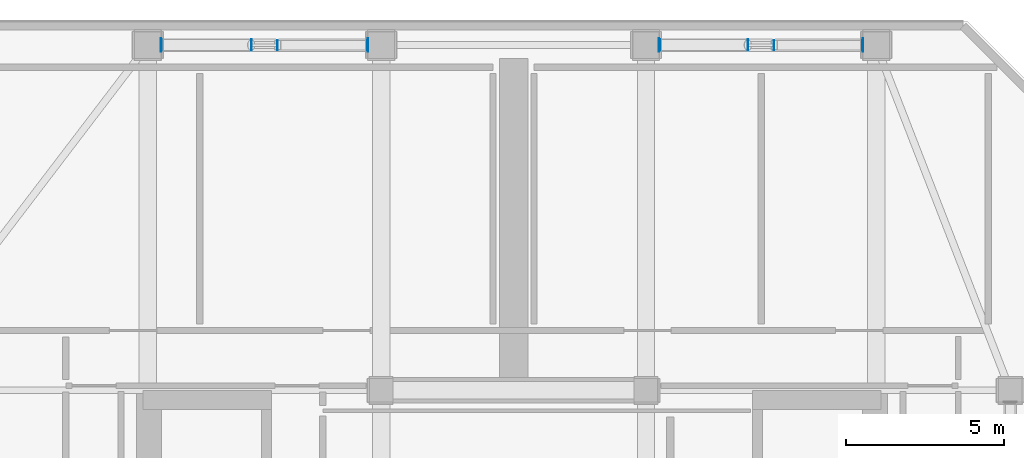
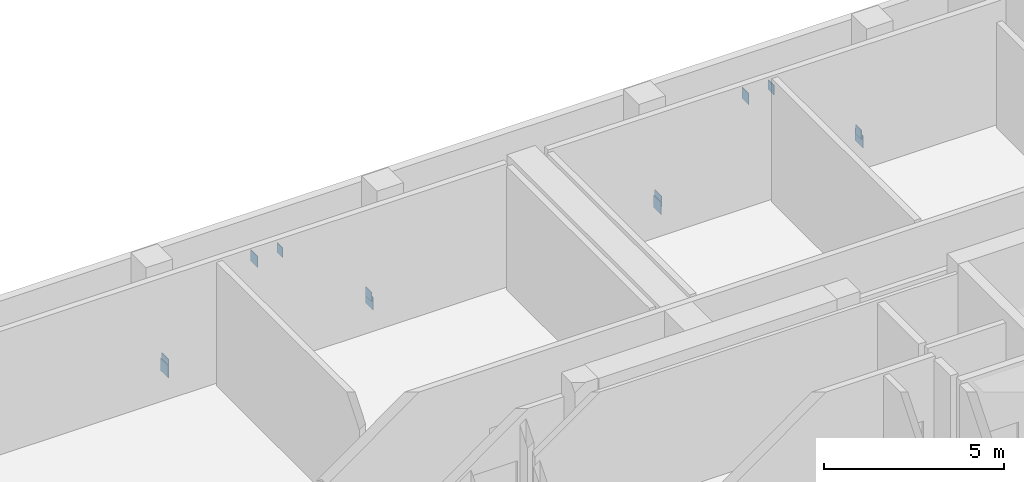
# One storey, part 7 of 13: 12 plates.
"""IFC4 building model written with IfcOpenShell, lengths in metres."""

from ifc_helpers import new_model, si_unit, direction, frame, origin, origin_2d, place, context, subcontext, project, spatial, rectangle, extrude, material, layer, layer_set, type_object, element, save


model = new_model("IFC4")

# Units and contexts
model_context = context("Model", 3, precision=1e-05, world=origin(), true_north=direction((0.0, 1.0)))
body_context = subcontext(model_context, "Body", "Model", "MODEL_VIEW")
ifc_project = project(units=[si_unit("LENGTHUNIT", "METRE"), si_unit("AREAUNIT", "SQUARE_METRE"), si_unit("VOLUMEUNIT", "CUBIC_METRE"), si_unit("PLANEANGLEUNIT", "RADIAN"), si_unit("MASSUNIT", "GRAM", prefix="KILO")], contexts=[model_context])

# Site, building, storey
site_placement = place(None, origin())
site = spatial("IfcSite", under=ifc_project, at=site_placement, CompositionType="ELEMENT")
building_placement = place(site_placement, origin())
building = spatial("IfcBuilding", under=site, at=building_placement, Name="Solanera Arch Residences", CompositionType="ELEMENT")
storey_placement = place(building_placement, frame((0.0, 0.0, 257.840087890625)))
storey = spatial("IfcBuildingStorey", under=building, at=storey_placement, Name="L75", CompositionType="ELEMENT", Elevation=257.840087890625)

# Plates
ifc_material = material(Name="Steel S355 (ASTM A992 / A572 Grade 50)", Category="steel")
ifc_layer = layer(ifc_material, 0.02001953125)
ifc_layer_set = layer_set([ifc_layer], Name="Steel S355 (ASTM A992 / A572 Grade 50)")
plate_type = type_object("IfcPlateType", Name="End Cap Plate EC-20", PredefinedType="USERDEFINED", material=ifc_layer_set)
for number, where, z_axis, x_axis, name in (
    (1, (13.81494140625, 50.35009765625, 0.239990234375), (0.0, 0.0, 1.0), (-1.0, 0.0, 0.0), "Hollow Section End Cap 229"),
    (2, (20.385009765625, 50.35009765625, 0.239990234375), (0.0, 0.0, 1.0), (1.0, 0.0, 0.0), "Hollow Section End Cap 230"),
):
    element("IfcPlate", number, at=place(storey_placement, frame(where, z_axis=z_axis, x_axis=x_axis)), inside=storey, type_object=plate_type, Name=name, ObjectType="STIFFENER", PredefinedType="USERDEFINED", context=body_context, shape_type="SweptSolid", body=[
        extrude(rectangle(XDim=0.02001953125, YDim=0.419921875, at=origin_2d()), origin(), (0.0, 0.0, 1.0), 0.419921875),
    ])
for number, where, z_axis, x_axis, name in (
    (3, (13.8369140625, 50.35009765625, 0.474853515625), (0.0, 0.0, 1.0), (-1.0, 0.0, 0.0), "Hollow Section End Cap 231"),
    (4, (16.68798828125, 50.35009765625, 2.9658203125), (0.0, 0.0, 1.0), (1.0, 0.0, 0.0), "Hollow Section End Cap 232"),
):
    element("IfcPlate", number, at=place(storey_placement, frame(where, z_axis=z_axis, x_axis=x_axis)), inside=storey, type_object=plate_type, Name=name, ObjectType="STIFFENER", PredefinedType="USERDEFINED", context=body_context, shape_type="SweptSolid", body=[
        extrude(rectangle(XDim=0.02001953125, YDim=0.3759765625, at=origin_2d()), origin(), (0.0, 0.0, 1.0), 0.3759765625),
    ])
for number, where, z_axis, x_axis, name in (
    (5, (20.363037109375, 50.35009765625, 0.5029296875), (0.0, 0.0, 1.0), (1.0, 0.0, 0.0), "Hollow Section End Cap 233"),
    (6, (17.511962890625, 50.35009765625, 2.99365234375), (0.0, 0.0, 1.0), (-1.0, 0.0, 0.0), "Hollow Section End Cap 234"),
):
    element("IfcPlate", number, at=place(storey_placement, frame(where, z_axis=z_axis, x_axis=x_axis)), inside=storey, type_object=plate_type, Name=name, ObjectType="STIFFENER", PredefinedType="USERDEFINED", context=body_context, shape_type="SweptSolid", body=[
        extrude(rectangle(XDim=0.02001953125, YDim=0.320068359375, at=origin_2d()), origin(), (0.0, 0.0, 1.0), 0.320068359375),
    ])
for number, where, z_axis, x_axis, name in (
    (7, (29.614990234375, 50.35009765625, 0.239990234375), (0.0, 0.0, 1.0), (-1.0, 0.0, 0.0), "Hollow Section End Cap 235"),
    (8, (36.0849609375, 50.35009765625, 0.239990234375), (0.0, 0.0, 1.0), (1.0, 0.0, 0.0), "Hollow Section End Cap 236"),
):
    element("IfcPlate", number, at=place(storey_placement, frame(where, z_axis=z_axis, x_axis=x_axis)), inside=storey, type_object=plate_type, Name=name, ObjectType="STIFFENER", PredefinedType="USERDEFINED", context=body_context, shape_type="SweptSolid", body=[
        extrude(rectangle(XDim=0.02001953125, YDim=0.419921875, at=origin_2d()), origin(), (0.0, 0.0, 1.0), 0.419921875),
    ])
for number, where, z_axis, x_axis, name in (
    (9, (29.637939453125, 50.35009765625, 0.474853515625), (0.0, 0.0, 1.0), (-1.0, 0.0, 0.0), "Hollow Section End Cap 237"),
    (10, (32.43701171875, 50.35009765625, 2.9658203125), (0.0, 0.0, 1.0), (1.0, 0.0, 0.0), "Hollow Section End Cap 238"),
):
    element("IfcPlate", number, at=place(storey_placement, frame(where, z_axis=z_axis, x_axis=x_axis)), inside=storey, type_object=plate_type, Name=name, ObjectType="STIFFENER", PredefinedType="USERDEFINED", context=body_context, shape_type="SweptSolid", body=[
        extrude(rectangle(XDim=0.02001953125, YDim=0.3759765625, at=origin_2d()), origin(), (0.0, 0.0, 1.0), 0.3759765625),
    ])
for number, where, z_axis, x_axis, name in (
    (11, (36.06201171875, 50.35009765625, 0.5029296875), (0.0, 0.0, 1.0), (1.0, 0.0, 0.0), "Hollow Section End Cap 239"),
    (12, (33.262939453125, 50.35009765625, 2.99365234375), (0.0, 0.0, 1.0), (-1.0, 0.0, 0.0), "Hollow Section End Cap 240"),
):
    element("IfcPlate", number, at=place(storey_placement, frame(where, z_axis=z_axis, x_axis=x_axis)), inside=storey, type_object=plate_type, Name=name, ObjectType="STIFFENER", PredefinedType="USERDEFINED", context=body_context, shape_type="SweptSolid", body=[
        extrude(rectangle(XDim=0.02001953125, YDim=0.320068359375, at=origin_2d()), origin(), (0.0, 0.0, 1.0), 0.320068359375),
    ])

save(model, "model.ifc")
